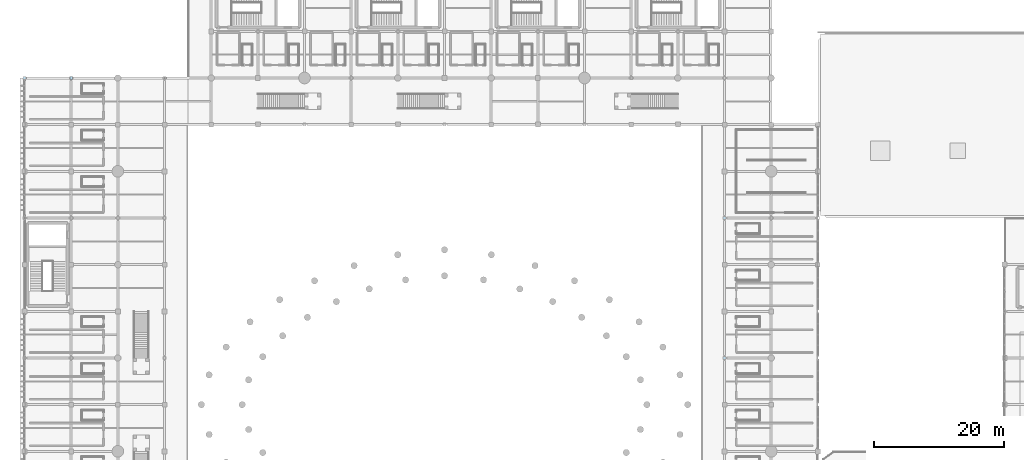
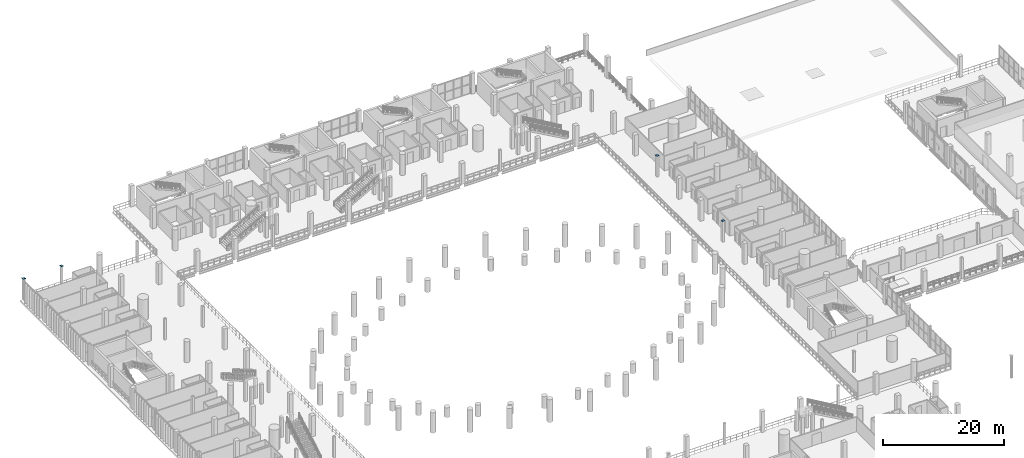
# One storey, part 99 of 130: 4 plates.
"""IFC4 building model written with IfcOpenShell, lengths in metres."""

from ifc_helpers import new_model, si_unit, direction, frame, origin, origin_2d, place, context, subcontext, project, spatial, rectangle, extrude, material, layer, layer_set, type_object, element, save


model = new_model("IFC4")

# Units and contexts
model_context = context("Model", 3, precision=1e-05, world=origin(), true_north=direction((0.0, 1.0)))
body_context = subcontext(model_context, "Body", "Model", "MODEL_VIEW")
ifc_project = project(units=[si_unit("LENGTHUNIT", "METRE"), si_unit("AREAUNIT", "SQUARE_METRE"), si_unit("VOLUMEUNIT", "CUBIC_METRE"), si_unit("PLANEANGLEUNIT", "RADIAN"), si_unit("MASSUNIT", "GRAM", prefix="KILO")], contexts=[model_context])

# Site, building, storey
site_placement = place(None, origin())
site = spatial("IfcSite", under=ifc_project, at=site_placement, CompositionType="ELEMENT")
building_placement = place(site_placement, origin())
building = spatial("IfcBuilding", under=site, at=building_placement, Name="Qandorah Velis Arena", CompositionType="ELEMENT")
storey_placement = place(building_placement, frame((0.0, 0.0, 9.60009765625)))
storey = spatial("IfcBuildingStorey", under=building, at=storey_placement, Name="L02", CompositionType="ELEMENT", Elevation=9.60009765625)

# Plates
ifc_material = material(Name="Steel S355", Category="steel")
ifc_layer = layer(ifc_material, 0.02490234375)
ifc_layer_set = layer_set([ifc_layer], Name="Steel S355")
plate_type = type_object("IfcPlateType", Name="STR-PLT-GUS25", PredefinedType="SHEET", material=ifc_layer_set)
for number, where, z_axis, x_axis, name in (
    (1, (0.0, 115.199951171875, 4.197509765625), (0.0, 0.0, 1.0), (1.0, 0.0, 0.0), "Hollow column end cap plate L02-014"),
    (2, (7.199951171875, 115.199951171875, 4.197509765625), (0.0, 0.0, 1.0), (1.0, 0.0, 0.0), "Hollow column end cap plate L02-029"),
    (3, (108.0, 72.0, 4.197509765625), (0.0, 0.0, 1.0), (1.0, 0.0, 0.0), "Hollow column end cap plate L02-158"),
    (4, (108.0, 93.60009765625, 4.197509765625), (0.0, 0.0, 1.0), (1.0, 0.0, 0.0), "Hollow column end cap plate L02-161"),
):
    element("IfcPlate", number, at=place(storey_placement, frame(where, z_axis=z_axis, x_axis=x_axis)), inside=storey, type_object=plate_type, Name=name, PredefinedType="SHEET", context=body_context, shape_type="SweptSolid", body=[
        extrude(rectangle(XDim=0.43994140625, YDim=0.43994140625, at=origin_2d()), origin(), (0.0, 0.0, 1.0), 0.02490234375),
    ])

save(model, "model.ifc")
